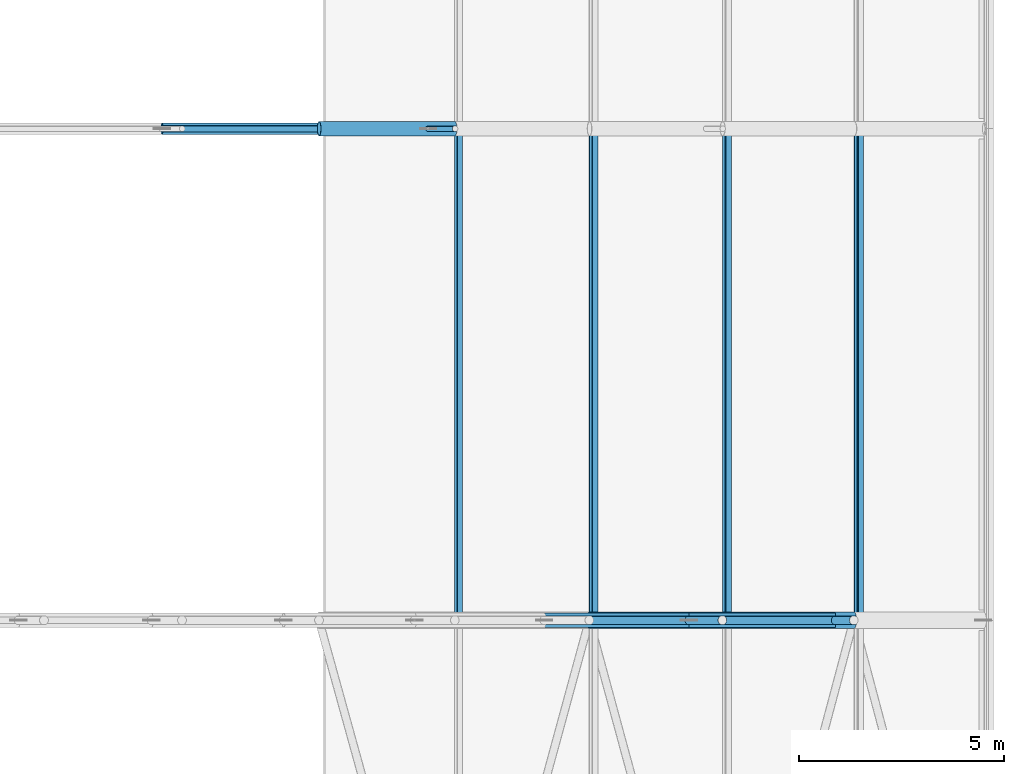
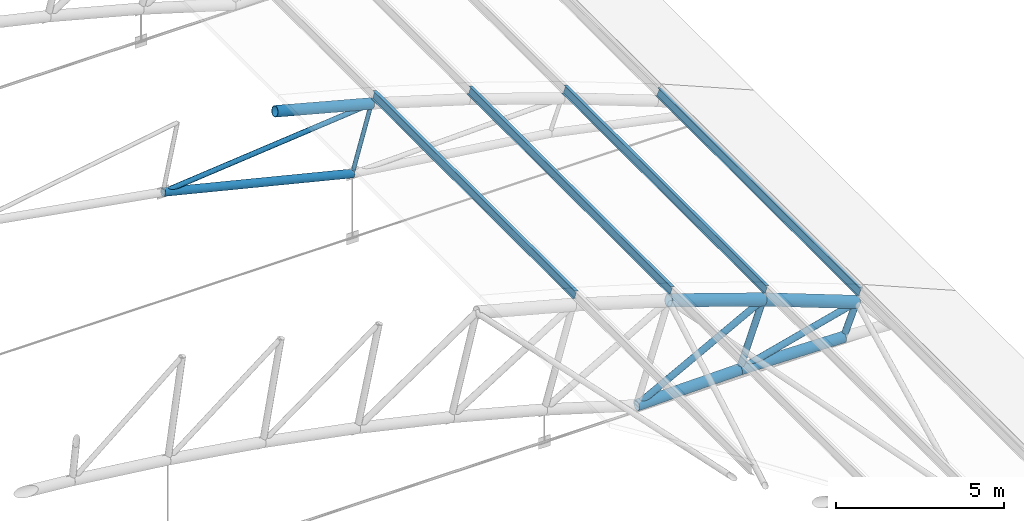
# One storey, part 96 of 321: 16 members.
"""IFC4 building model written with IfcOpenShell, lengths in metres."""

import ifcopenshell
import ifcopenshell.guid

model = None  # the IFC model being written
_history = None  # IfcOwnerHistory: only IFC2X3 demands one
_inside = {}  # id of a spatial element -> (the spatial element, [elements in it])
_under = {}  # id of a project, library or spatial element -> (it, [spatial elements below it])
_declared = {}  # id of a project -> (the project, [libraries it declares])
_typed = {}  # id of a type object -> (the type object, [elements of that type])
_made_of = {}  # id of a material, layer set ... -> (it, [elements and type objects made of it])


def new_model(schema):
    """Start an empty IFC model of exactly this schema.

    Asked for "IFC4X3", IfcOpenShell would pick the latest addendum, in which some entities
    have other attributes; the version numbers below select the first issue.
    IFC2X3 requires an IfcOwnerHistory on every rooted entity: one is made here for all.
    """
    global model, _history
    if schema == "IFC4X3":
        model = ifcopenshell.file(schema_version=(4, 3, 0, 0))
    else:
        model = ifcopenshell.file(schema=schema)
    _inside.clear()
    _under.clear()
    _declared.clear()
    _typed.clear()
    _made_of.clear()
    _history = None
    if model.schema == "IFC2X3":
        org = make("IfcOrganization", Name="unknown")
        user = make(
            "IfcPersonAndOrganization",
            ThePerson=make("IfcPerson", FamilyName="unknown"),
            TheOrganization=org,
        )
        app = make(
            "IfcApplication",
            ApplicationDeveloper=org,
            Version="unknown",
            ApplicationFullName="unknown",
            ApplicationIdentifier="unknown",
        )
        _history = make(
            "IfcOwnerHistory",
            OwningUser=user,
            OwningApplication=app,
            ChangeAction="ADDED",
            CreationDate=0,
        )
    return model


def make(cls, **values):
    """One entity of the class cls with the attributes given. An attribute that is None is left unset."""
    return model.create_entity(
        cls, **{name: value for name, value in values.items() if value is not None}
    )


def rooted(cls, **values):
    """An entity with a GlobalId (a new one), such as an element, a storey or a relation."""
    return make(cls, GlobalId=ifcopenshell.guid.new(), OwnerHistory=_history, **values)


def si_unit(unit_type, name, prefix=None):
    """IfcSIUnit, for example si_unit("LENGTHUNIT", "METRE", prefix="MILLI")."""
    return make("IfcSIUnit", UnitType=unit_type, Prefix=prefix, Name=name)


def assignment(units):
    """IfcUnitAssignment: the units of a project."""
    return None if units is None else make("IfcUnitAssignment", Units=units)


def point(xyz):
    """IfcCartesianPoint."""
    return None if xyz is None else make("IfcCartesianPoint", Coordinates=xyz)


def direction(xyz):
    """IfcDirection."""
    return None if xyz is None else make("IfcDirection", DirectionRatios=xyz)


def frame(location, z_axis=None, x_axis=None):
    """IfcAxis2Placement3D, a coordinate frame: its origin and axes. An axis left out is left unset."""
    return make(
        "IfcAxis2Placement3D",
        Location=point(location),
        Axis=direction(z_axis),
        RefDirection=direction(x_axis),
    )


def frame_2d(location, x_axis=None):
    """IfcAxis2Placement2D, a coordinate frame in the plane: its origin and x axis."""
    return make(
        "IfcAxis2Placement2D", Location=point(location), RefDirection=direction(x_axis)
    )


def origin():
    """The frame at (0, 0, 0) with its axes left unset."""
    return frame((0.0, 0.0, 0.0))


def origin_2d():
    """The frame at (0, 0) in the plane with its x axis left unset."""
    return frame_2d((0.0, 0.0))


def place(relative_to, where):
    """IfcLocalPlacement: puts the frame where relative to a parent placement (None: the world)."""
    return make(
        "IfcLocalPlacement", PlacementRelTo=relative_to, RelativePlacement=where
    )


def context(
    kind, dimensions, precision=None, world=None, true_north=None, identifier=None
):
    """IfcGeometricRepresentationContext, for example the 3D "Model" context."""
    return make(
        "IfcGeometricRepresentationContext",
        ContextIdentifier=identifier,
        ContextType=kind,
        CoordinateSpaceDimension=dimensions,
        Precision=precision,
        WorldCoordinateSystem=world,
        TrueNorth=true_north,
    )


def subcontext(parent, identifier, kind, view, scale=None):
    """IfcGeometricRepresentationSubContext, for example "Body" below "Model"."""
    return make(
        "IfcGeometricRepresentationSubContext",
        ContextIdentifier=identifier,
        ContextType=kind,
        ParentContext=parent,
        TargetScale=scale,
        TargetView=view,
    )


def project(units=None, contexts=None):
    """IfcProject with its units and contexts."""
    return rooted(
        "IfcProject",
        Name="project",
        RepresentationContexts=contexts,
        UnitsInContext=assignment(units),
    )


def spatial(cls, under=None, at=None, **own):
    """A site, building, storey or space (cls), placed at a placement, below another one or the project."""
    s = rooted(cls, ObjectPlacement=at, **own)
    if under is not None:
        _under.setdefault(under.id(), (under, []))[1].append(s)
    return s


def profile(cls, at=None, kind="AREA", **sizes):
    """A parametric profile (cls). Its sizes go by their IFC names, for example OverallWidth=200.0."""
    return make(cls, ProfileType=kind, Position=at, **sizes)


def hollow_circle(**sizes):
    """IfcCircleHollowProfileDef."""
    return profile("IfcCircleHollowProfileDef", **sizes)


def i_section(**sizes):
    """IfcIShapeProfileDef."""
    return profile("IfcIShapeProfileDef", **sizes)


def extrude(swept, where, along, depth):
    """IfcExtrudedAreaSolid: the profile swept, set in the frame where, extruded along a direction by depth."""
    return make(
        "IfcExtrudedAreaSolid",
        SweptArea=swept,
        Position=where,
        ExtrudedDirection=direction(along),
        Depth=depth,
    )


def shape(context_of_items, identifier, shape_type, items):
    """IfcShapeRepresentation: the items that make up one representation, for example the "Body"."""
    return make(
        "IfcShapeRepresentation",
        ContextOfItems=context_of_items,
        RepresentationIdentifier=identifier,
        RepresentationType=shape_type,
        Items=items,
    )


def material(Name=None, Category=None):
    """IfcMaterial."""
    return make("IfcMaterial", Name=Name, Category=Category)


def material_profile(
    of_material, cross_section, Name=None, Category=None, Priority=None
):
    """IfcMaterialProfile: a cross section and its material."""
    return make(
        "IfcMaterialProfile",
        Name=Name,
        Material=of_material,
        Profile=cross_section,
        Priority=Priority,
        Category=Category,
    )


def profile_set(profiles, Name=None, composite=None):
    """IfcMaterialProfileSet."""
    return make(
        "IfcMaterialProfileSet",
        Name=Name,
        MaterialProfiles=profiles,
        CompositeProfile=composite,
    )


def made_of(thing, what):
    """Note that an element or type object is made of a material, layer set ...; save() writes the relation."""
    if what is not None:
        _made_of.setdefault(what.id(), (what, []))[1].append(thing)
    return thing


def type_object(cls, material=None, **own):
    """A type object (cls), such as IfcWallType, which elements share."""
    return made_of(rooted(cls, **own), material)


def element(
    cls,
    number,
    at=None,
    inside=None,
    cuts=None,
    type_object=None,
    material=None,
    context=None,
    identifier="Body",
    shape_type=None,
    held_by="IfcProductDefinitionShape",
    body=None,
    shapes=None,
    **own,
):
    """One element of the class cls, such as IfcWall. Its Tag is "e" and its number.

    at: its placement. inside: the storey or other place that contains it. cuts: it is an
    opening in that element (IfcRelVoidsElement). A single representation is given by context,
    identifier, shape_type and body (its items); several are given by shapes. held_by: the class
    of the entity that holds the representations. save() writes the other relations.
    """
    e = rooted(cls, Tag="e%d" % number, ObjectPlacement=at, **own)
    if body is not None:
        shapes = [shape(context, identifier, shape_type, body)]
    if shapes is not None:
        e.Representation = make(held_by, Representations=shapes)
    if inside is not None:
        _inside.setdefault(inside.id(), (inside, []))[1].append(e)
    if cuts is not None:
        rooted(
            "IfcRelVoidsElement", RelatingBuildingElement=cuts, RelatedOpeningElement=e
        )
    if type_object is not None:
        _typed.setdefault(type_object.id(), (type_object, []))[1].append(e)
    return made_of(e, material)


def aggregate(whole, parts):
    """IfcRelAggregates: a whole, such as a stair, and the parts it consists of."""
    return rooted("IfcRelAggregates", RelatingObject=whole, RelatedObjects=parts)


def save(model, path):
    """Write the relations noted so far, then the file.

    IfcRelAggregates (storeys below a building ...), IfcRelContainedInSpatialStructure (elements
    in a storey), IfcRelDefinesByType, IfcRelAssociatesMaterial and IfcRelDeclares: one each for
    every whole, place, type object, material and project.
    """
    for whole, parts in _under.values():
        aggregate(whole, parts)
    for where, things in _inside.values():
        rooted(
            "IfcRelContainedInSpatialStructure",
            RelatedElements=things,
            RelatingStructure=where,
        )
    for kind, things in _typed.values():
        rooted("IfcRelDefinesByType", RelatedObjects=things, RelatingType=kind)
    for what, things in _made_of.values():
        rooted("IfcRelAssociatesMaterial", RelatedObjects=things, RelatingMaterial=what)
    for by, libraries in _declared.values():
        rooted("IfcRelDeclares", RelatingContext=by, RelatedDefinitions=libraries)
    model.write(path)


model = new_model("IFC4")

# Units and contexts
model_context = context("Model", 3, precision=1e-05, world=origin(), true_north=direction((0.0, 1.0)))
body_context = subcontext(model_context, "Body", "Model", "MODEL_VIEW")
ifc_project = project(units=[si_unit("LENGTHUNIT", "METRE"), si_unit("AREAUNIT", "SQUARE_METRE"), si_unit("VOLUMEUNIT", "CUBIC_METRE"), si_unit("PLANEANGLEUNIT", "RADIAN"), si_unit("MASSUNIT", "GRAM", prefix="KILO")], contexts=[model_context])

# Site, building, storey
site_placement = place(None, origin())
site = spatial("IfcSite", under=ifc_project, at=site_placement, CompositionType="ELEMENT")
building_placement = place(site_placement, origin())
building = spatial("IfcBuilding", under=site, at=building_placement, Name="Ravi Spectrum Wholesale Market", CompositionType="ELEMENT")
storey_placement = place(building_placement, frame((0.0, 0.0, 10.800048828125)))
storey = spatial("IfcBuildingStorey", under=building, at=storey_placement, Name="L02", CompositionType="ELEMENT", Elevation=10.800048828125)

# Members
ifc_material_1 = material(Name="Steel S355", Category="steel")
ifc_material_profile_1 = material_profile(ifc_material_1, hollow_circle(Radius=0.06982421875, WallThickness=0.0048828125, at=origin_2d()))
ifc_profile_set_1 = profile_set([ifc_material_profile_1], Name="Steel S355")
member_type_1 = type_object("IfcMemberType", Name="CHS 139.7x5 post", PredefinedType="POST", material=ifc_profile_set_1)
member_1_placement = place(storey_placement, frame((97.103759765625, 90.0, 4.661376953125), z_axis=(-0.272503703517, 0.0, -0.962154733694), x_axis=(0.0, -1.0, 0.0)))
element("IfcMember", 1, at=member_1_placement, inside=storey, type_object=member_type_1, Name="H1-MB-L02-469", PredefinedType="POST", context=body_context, shape_type="SweptSolid", body=[
    extrude(hollow_circle(Radius=0.06982421875, WallThickness=0.0048828125, at=origin_2d()), origin(), (0.0, 0.0, 1.0), 2.400146484375),
])
ifc_material_2 = material(Name="Steel S355", Category="steel")
ifc_material_profile_2 = material_profile(ifc_material_2, hollow_circle(Radius=0.084228515625, WallThickness=0.00634765625, at=origin_2d()))
ifc_profile_set_2 = profile_set([ifc_material_profile_2], Name="Steel S355")
member_type_2 = type_object("IfcMemberType", Name="CHS 168.3x6.3 brace", PredefinedType="BRACE", material=ifc_profile_set_2)
member_2_placement = place(storey_placement, frame((97.103759765625, 90.0, 4.661376953125), z_axis=(-0.995140525262, 0.0, -0.098464892124), x_axis=(0.0, -1.0, 0.0)))
element("IfcMember", 2, at=member_2_placement, inside=storey, type_object=member_type_2, Name="H1-MB-L02-479", PredefinedType="BRACE", context=body_context, shape_type="SweptSolid", body=[
    extrude(hollow_circle(Radius=0.084228515625, WallThickness=0.00634765625, at=origin_2d()), origin(), (0.0, 0.0, 1.0), 7.1904296875),
])
ifc_material_3 = material(Name="Steel S355", Category="steel")
ifc_material_profile_3 = material_profile(ifc_material_3, hollow_circle(Radius=0.109619140625, WallThickness=0.008056640625, at=origin_2d()))
ifc_profile_set_3 = profile_set([ifc_material_profile_3], Name="Steel S355")
member_type_3 = type_object("IfcMemberType", Name="CHS 219.1x8 brace", PredefinedType="BRACE", material=ifc_profile_set_3)
member_3_placement = place(storey_placement, frame((103.62841796875, 78.0, 2.541015625), z_axis=(-0.881933088563, 0.0, -0.471374614608), x_axis=(0.0, -1.0, 0.0)))
element("IfcMember", 3, at=member_3_placement, inside=storey, type_object=member_type_3, Name="H1-MB-L02-416", PredefinedType="BRACE", context=body_context, shape_type="SweptSolid", body=[
    extrude(hollow_circle(Radius=0.109619140625, WallThickness=0.008056640625, at=origin_2d()), origin(), (0.0, 0.0, 1.0), 4.9296875),
])
member_4_placement = place(storey_placement, frame((106.836181640625, 78.0, 1.325439453125), z_axis=(-0.967942387937, 0.0, -0.251172318609), x_axis=(0.0, -1.0, 0.0)))
element("IfcMember", 4, at=member_4_placement, inside=storey, type_object=member_type_3, Name="H1-MB-L02-417", PredefinedType="BRACE", context=body_context, shape_type="SweptSolid", body=[
    extrude(hollow_circle(Radius=0.109619140625, WallThickness=0.008056640625, at=origin_2d()), origin(), (0.0, 0.0, 1.0), 4.15234375),
])
ifc_material_4 = material(Name="Steel S355", Category="steel")
ifc_material_profile_4 = material_profile(ifc_material_4, hollow_circle(Radius=0.109619140625, WallThickness=0.008056640625, at=origin_2d()))
ifc_profile_set_4 = profile_set([ifc_material_profile_4], Name="Steel S355")
member_type_4 = type_object("IfcMemberType", Name="CHS 219.1x8 post", PredefinedType="POST", material=ifc_profile_set_4)
member_5_placement = place(storey_placement, frame((103.62841796875, 78.0, 2.541015625), z_axis=(-0.338146640483, 0.0, -0.941093432944), x_axis=(0.0, -1.0, 0.0)))
element("IfcMember", 5, at=member_5_placement, inside=storey, type_object=member_type_4, Name="H1-MB-L02-394", PredefinedType="POST", context=body_context, shape_type="SweptSolid", body=[
    extrude(hollow_circle(Radius=0.109619140625, WallThickness=0.008056640625, at=origin_2d()), origin(), (0.0, 0.0, 1.0), 2.39990234375),
])
member_6_placement = place(storey_placement, frame((106.836181640625, 78.0, 1.325439453125), z_axis=(-0.370513497528, 0.0, -0.928827081942), x_axis=(0.0, -1.0, 0.0)))
element("IfcMember", 6, at=member_6_placement, inside=storey, type_object=member_type_4, Name="H1-MB-L02-395", PredefinedType="POST", context=body_context, shape_type="SweptSolid", body=[
    extrude(hollow_circle(Radius=0.109619140625, WallThickness=0.008056640625, at=origin_2d()), origin(), (0.0, 0.0, 1.0), 1.199951171875),
])
ifc_material_5 = material(Name="Steel S355", Category="steel")
ifc_material_profile_5 = material_profile(ifc_material_5, hollow_circle(Radius=0.136474609375, WallThickness=0.010009765625, at=origin_2d()))
ifc_profile_set_5 = profile_set([ifc_material_profile_5], Name="Steel S355")
member_type_5 = type_object("IfcMemberType", Name="CHS 273x10 chord", PredefinedType="CHORD", material=ifc_profile_set_5)
member_7_placement = place(storey_placement, frame((89.9482421875, 90.0, 3.953369140625), z_axis=(0.970981670562, 0.0, -0.23915391578), x_axis=(0.0, 1.0, 0.0)))
element("IfcMember", 7, at=member_7_placement, inside=storey, type_object=member_type_5, Name="H1-MB-L02-457", PredefinedType="CHORD", context=body_context, shape_type="SweptSolid", body=[
    extrude(hollow_circle(Radius=0.136474609375, WallThickness=0.010009765625, at=origin_2d()), origin(), (0.0, 0.0, 1.0), 6.69580078125),
])
ifc_material_6 = material(Name="Steel S355", Category="steel")
ifc_material_profile_6 = material_profile(ifc_material_6, hollow_circle(Radius=0.177734375, WallThickness=0.012451171875, at=origin_2d()))
ifc_profile_set_6 = profile_set([ifc_material_profile_6], Name="Steel S355")
member_type_6 = type_object("IfcMemberType", Name="CHS 355.6x12.5 chord", PredefinedType="CHORD", material=ifc_profile_set_6)
member_8_placement = place(storey_placement, frame((99.28076171875, 78.0, 0.21728515625), z_axis=(0.999830134639, 0.0, 0.018431002896), x_axis=(0.0, 1.0, 0.0)))
element("IfcMember", 8, at=member_8_placement, inside=storey, type_object=member_type_6, Name="H1-MB-L02-370", PredefinedType="CHORD", context=body_context, shape_type="SweptSolid", body=[
    extrude(hollow_circle(Radius=0.177734375, WallThickness=0.012451171875, at=origin_2d()), origin(), (0.0, 0.0, 1.0), 3.53662109375),
])
member_9_placement = place(storey_placement, frame((102.81689453125, 78.0, 0.282470703125), z_axis=(0.999799841502, 0.0, -0.020006922112), x_axis=(0.0, 1.0, 0.0)))
element("IfcMember", 9, at=member_9_placement, inside=storey, type_object=member_type_6, Name="H1-MB-L02-371", PredefinedType="CHORD", context=body_context, shape_type="SweptSolid", body=[
    extrude(hollow_circle(Radius=0.177734375, WallThickness=0.012451171875, at=origin_2d()), origin(), (0.0, 0.0, 1.0), 3.575439453125),
])
member_10_placement = place(storey_placement, frame((93.786865234375, 90.0, 5.5390625), z_axis=(0.966728003216, 0.0, -0.255806504605), x_axis=(0.0, 1.0, 0.0)))
element("IfcMember", 10, at=member_10_placement, inside=storey, type_object=member_type_6, Name="H1-MB-L02-443", PredefinedType="CHORD", context=body_context, shape_type="SweptSolid", body=[
    extrude(hollow_circle(Radius=0.177734375, WallThickness=0.012451171875, at=origin_2d()), origin(), (0.0, 0.0, 1.0), 3.43115234375),
])
ifc_material_7 = material(Name="Steel S355", Category="steel")
ifc_material_profile_7 = material_profile(ifc_material_7, hollow_circle(Radius=0.203125, WallThickness=0.01611328125, at=origin_2d()))
ifc_profile_set_7 = profile_set([ifc_material_profile_7], Name="Steel S355")
member_type_7 = type_object("IfcMemberType", Name="CHS 406.4x16 chord", PredefinedType="CHORD", material=ifc_profile_set_7)
for number, where, z_axis, x_axis, name in (
    (11, (100.380615234375, 78.0, 3.645263671875), (0.946773178626, 0.0, -0.321901457335), (0.0, 1.0, 0.0), "H1-MB-L02-346"),
    (12, (103.62841796875, 78.0, 2.541015625), (0.935109783896, 0.0, -0.354358140956), (0.0, 1.0, 0.0), "H1-MB-L02-347"),
):
    element("IfcMember", number, at=place(storey_placement, frame(where, z_axis=z_axis, x_axis=x_axis)), inside=storey, type_object=member_type_7, Name=name, PredefinedType="CHORD", context=body_context, shape_type="SweptSolid", body=[
        extrude(hollow_circle(Radius=0.203125, WallThickness=0.01611328125, at=origin_2d()), origin(), (0.0, 0.0, 1.0), 3.430419921875),
    ])
ifc_material_8 = material(Name="Steel S355", Category="steel")
ifc_material_profile_8 = material_profile(ifc_material_8, i_section(OverallWidth=0.135009765625, OverallDepth=0.27001953125, WebThickness=0.006591796875, FlangeThickness=0.01025390625, at=origin_2d()))
ifc_profile_set_8 = profile_set([ifc_material_profile_8], Name="Steel S355")
member_type_8 = type_object("IfcMemberType", Name="IPE 270 purlin", PredefinedType="PURLIN", material=ifc_profile_set_8)
for number, where, z_axis, x_axis, name in (
    (13, (97.18896484375, 78.0, 4.962158203125), (0.0, 1.0, 0.0), (-0.96215600485, 0.0, 0.272499215286), "H1-MB-L02-1354"),
    (14, (100.484130859375, 78.0, 3.96728515625), (0.0, 1.0, 0.0), (-0.952184497174, 0.0, 0.305523621577), "H1-MB-L02-1355"),
    (15, (103.74267578125, 78.0, 2.859375), (0.0, 1.0, 0.0), (-0.941079849597, 0.0, 0.338184441811), "H1-MB-L02-1356"),
    (16, (106.96142578125, 78.0, 1.6396484375), (0.0, 1.0, 0.0), (-0.928855283584, 0.0, 0.370442792017), "H1-MB-L02-1357"),
):
    element("IfcMember", number, at=place(storey_placement, frame(where, z_axis=z_axis, x_axis=x_axis)), inside=storey, type_object=member_type_8, Name=name, PredefinedType="PURLIN", context=body_context, shape_type="SweptSolid", body=[
        extrude(i_section(OverallWidth=0.135009765625, OverallDepth=0.27001953125, WebThickness=0.006591796875, FlangeThickness=0.01025390625, at=origin_2d()), origin(), (0.0, 0.0, 1.0), 12.0),
    ])

save(model, "model.ifc")
